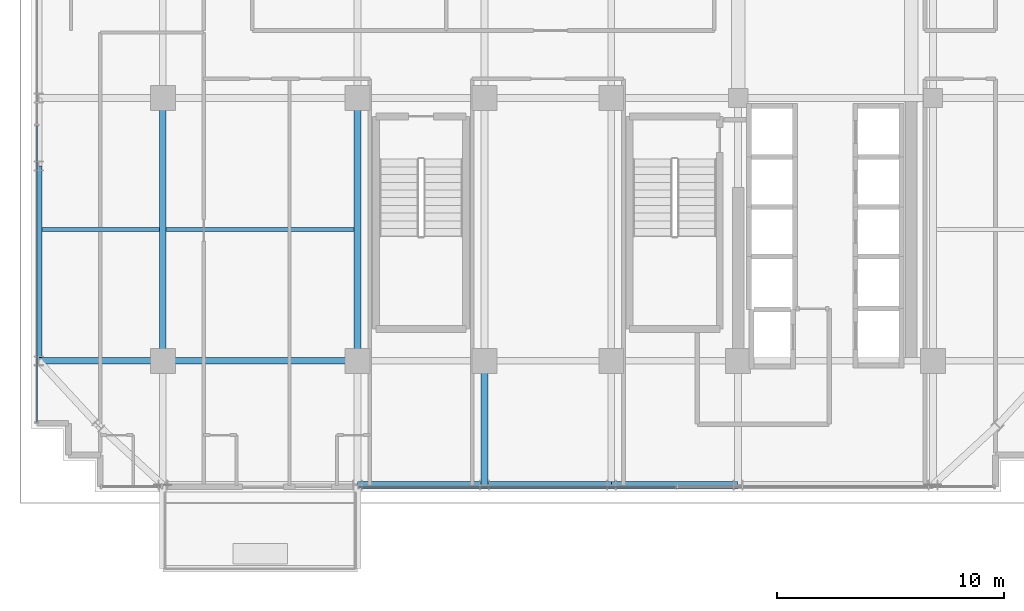
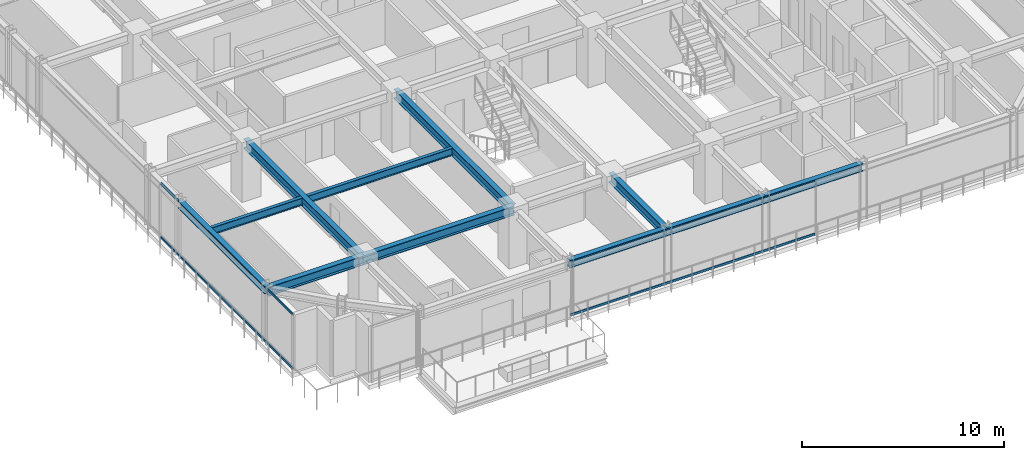
# One storey, part 4 of 33: 11 beams, 4 members, 2 elements without a shape of their own.
"""IFC4 building model written with IfcOpenShell, lengths in metres."""

from ifc_helpers import new_model, si_unit, direction, frame, origin, origin_2d, place, context, subcontext, project, spatial, hollow_rectangle, i_section, extrude, source, transform, mapped, material, material_profile, profile_set, type_object, element, aggregate, save


model = new_model("IFC4")

# Units and contexts
model_context = context("Model", 3, precision=1e-05, world=origin(), true_north=direction((0.0, 1.0)))
body_context = subcontext(model_context, "Body", "Model", "MODEL_VIEW")
ifc_project = project(units=[si_unit("LENGTHUNIT", "METRE"), si_unit("AREAUNIT", "SQUARE_METRE"), si_unit("VOLUMEUNIT", "CUBIC_METRE"), si_unit("PLANEANGLEUNIT", "RADIAN"), si_unit("MASSUNIT", "GRAM", prefix="KILO")], contexts=[model_context])

# Site, building, storey
site_placement = place(None, origin())
site = spatial("IfcSite", under=ifc_project, at=site_placement, CompositionType="ELEMENT")
building_placement = place(site_placement, origin())
building = spatial("IfcBuilding", under=site, at=building_placement, Name="Nahalor Promenade Grand Hotel", CompositionType="ELEMENT")
storey_placement = place(building_placement, frame((0.0, 0.0, 149.0)))
storey = spatial("IfcBuildingStorey", under=building, at=storey_placement, Name="L37", CompositionType="ELEMENT", Elevation=149.0)

# Beams
ifc_material_1 = material(Name="Steel S355JR", Category="steel")
ifc_material_profile_1 = material_profile(ifc_material_1, i_section(OverallWidth=0.3, OverallDepth=0.55, WebThickness=0.015, FlangeThickness=0.029, at=origin_2d()), Name="HEB 550")
ifc_profile_set_1 = profile_set([ifc_material_profile_1], Name="Steel S355JR")
beam_type_1 = type_object("IfcBeamType", Name="Beam-Girder-HEB550", PredefinedType="BEAM", material=ifc_profile_set_1)
shared_shape_1 = source(origin(), body_context, "Body", "SweptSolid", [
    extrude(i_section(OverallWidth=0.3, OverallDepth=0.55, WebThickness=0.015, FlangeThickness=0.029, at=origin_2d()), origin(), (0.0, 0.0, 1.0), 8.60009765625),
])
beam_1_placement = place(storey_placement, frame((-17.0, -17.0, 3.114990234375), z_axis=(1.0, 0.0, 0.0), x_axis=(0.0, 1.0, 0.0)))
element("IfcBeam", 1, at=beam_1_placement, inside=storey, type_object=beam_type_1, Name="BM-L37-GX-0-1", PredefinedType="BEAM", context=body_context, shape_type="MappedRepresentation", body=[
    mapped(shared_shape_1, transform((0.0, 0.0, 0.0), scale=1.0)),
])
shared_shape_2 = source(origin(), body_context, "Body", "SweptSolid", [
    extrude(i_section(OverallWidth=0.3, OverallDepth=0.55, WebThickness=0.015, FlangeThickness=0.029, at=origin_2d()), origin(), (0.0, 0.0, 1.0), 11.60009765625),
])
for number, where, z_axis, x_axis, name in (
    (2, (-17.0, -17.0, 3.114990234375), (0.0, 1.0, 0.0), (-1.0, 0.0, 0.0), "BM-L37-GY-0-1"),
    (3, (-8.39990234375, -17.0, 3.114990234375), (0.0, 1.0, 0.0), (-1.0, 0.0, 0.0), "BM-L37-GY-1-1"),
):
    element("IfcBeam", number, at=place(storey_placement, frame(where, z_axis=z_axis, x_axis=x_axis)), inside=storey, type_object=beam_type_1, Name=name, PredefinedType="BEAM", context=body_context, shape_type="MappedRepresentation", body=[
        mapped(shared_shape_2, transform((0.0, 0.0, 0.0), scale=1.0)),
    ])
ifc_material_profile_2 = material_profile(ifc_material_1, i_section(OverallWidth=0.19, OverallDepth=0.45, WebThickness=0.0094, FlangeThickness=0.0146, at=origin_2d()), Name="IPE 450")
ifc_profile_set_2 = profile_set([ifc_material_profile_2], Name="Steel S355JR")
beam_type_2 = type_object("IfcBeamType", Name="Beam-Joist-IPE450", PredefinedType="JOIST", material=ifc_profile_set_2)
shared_shape_3 = source(origin(), body_context, "Body", "SweptSolid", [
    extrude(i_section(OverallWidth=0.19, OverallDepth=0.45, WebThickness=0.0094, FlangeThickness=0.0146, at=origin_2d()), origin(), (0.0, 0.0, 1.0), 8.300048828125),
])
beam_2_placement = place(storey_placement, frame((-16.85009765625, -11.199951171875, 3.1650390625), z_axis=(1.0, 0.0, 0.0), x_axis=(0.0, 1.0, 0.0)))
element("IfcBeam", 4, at=beam_2_placement, inside=storey, type_object=beam_type_2, Name="BM-L37-JSW-0-1", PredefinedType="JOIST", context=body_context, shape_type="MappedRepresentation", body=[
    mapped(shared_shape_3, transform((0.0, 0.0, 0.0), scale=1.0)),
])
shared_shape_4 = source(origin(), body_context, "Body", "SweptSolid", [
    extrude(i_section(OverallWidth=0.3, OverallDepth=0.55, WebThickness=0.015, FlangeThickness=0.029, at=origin_2d()), origin(), (0.0, 0.0, 1.0), 5.47998046875),
])
for number, where, z_axis, x_axis, name in (
    (5, (-22.47998046875, -17.0, 3.114990234375), (1.0, 0.0, 0.0), (0.0, 1.0, 0.0), "BM-L37-GX-0-0"),
    (6, (-2.800048828125, -22.47998046875, 3.114990234375), (0.0, 1.0, 0.0), (-1.0, 0.0, 0.0), "BM-L37-GY-2-0"),
):
    element("IfcBeam", number, at=place(storey_placement, frame(where, z_axis=z_axis, x_axis=x_axis)), inside=storey, type_object=beam_type_1, Name=name, PredefinedType="BEAM", context=body_context, shape_type="MappedRepresentation", body=[
        mapped(shared_shape_4, transform((0.0, 0.0, 0.0), scale=1.0)),
    ])
shared_shape_5 = source(origin(), body_context, "Body", "SweptSolid", [
    extrude(i_section(OverallWidth=0.19, OverallDepth=0.45, WebThickness=0.0094, FlangeThickness=0.0146, at=origin_2d()), origin(), (0.0, 0.0, 1.0), 5.18017578125),
])
beam_3_placement = place(storey_placement, frame((-22.330078125, -11.199951171875, 3.1650390625), z_axis=(1.0, 0.0, 0.0), x_axis=(0.0, 1.0, 0.0)))
element("IfcBeam", 7, at=beam_3_placement, inside=storey, type_object=beam_type_2, Name="BM-L37-JSW-0-0", PredefinedType="JOIST", context=body_context, shape_type="MappedRepresentation", body=[
    mapped(shared_shape_5, transform((0.0, 0.0, 0.0), scale=1.0)),
])
ifc_material_profile_3 = material_profile(ifc_material_1, i_section(OverallWidth=0.3, OverallDepth=0.45, WebThickness=0.014, FlangeThickness=0.026, at=origin_2d()), Name="HEB 450")
ifc_profile_set_3 = profile_set([ifc_material_profile_3], Name="Steel S355JR")
beam_type_3 = type_object("IfcBeamType", Name="Beam-Spandrel-HEB450", PredefinedType="SPANDREL", material=ifc_profile_set_3)
shared_shape_6 = source(origin(), body_context, "Body", "SweptSolid", [
    extrude(i_section(OverallWidth=0.3, OverallDepth=0.45, WebThickness=0.014, FlangeThickness=0.026, at=origin_2d()), origin(), (0.0, 0.0, 1.0), 8.60009765625),
])
beam_4_placement = place(storey_placement, frame((-22.47998046875, -17.0, 3.1650390625), z_axis=(0.0, 1.0, 0.0), x_axis=(-1.0, 0.0, 0.0)))
element("IfcBeam", 8, at=beam_4_placement, inside=storey, type_object=beam_type_3, Name="BM-L37-SP-W-0", PredefinedType="SPANDREL", context=body_context, shape_type="MappedRepresentation", body=[
    mapped(shared_shape_6, transform((0.0, 0.0, 0.0), scale=1.0)),
])
shared_shape_7 = source(origin(), body_context, "Body", "SweptSolid", [
    extrude(i_section(OverallWidth=0.3, OverallDepth=0.45, WebThickness=0.014, FlangeThickness=0.026, at=origin_2d()), origin(), (0.0, 0.0, 1.0), 5.599853515625),
])
for number, where, z_axis, x_axis, name in (
    (9, (-8.39990234375, -22.47998046875, 3.1650390625), (1.0, 0.0, 0.0), (0.0, 1.0, 0.0), "BM-L37-SP-S-1"),
    (10, (2.800048828125, -22.47998046875, 3.1650390625), (1.0, 0.0, 0.0), (0.0, 1.0, 0.0), "BM-L37-SP-S-3"),
):
    element("IfcBeam", number, at=place(storey_placement, frame(where, z_axis=z_axis, x_axis=x_axis)), inside=storey, type_object=beam_type_3, Name=name, PredefinedType="SPANDREL", context=body_context, shape_type="MappedRepresentation", body=[
        mapped(shared_shape_7, transform((0.0, 0.0, 0.0), scale=1.0)),
    ])
shared_shape_8 = source(origin(), body_context, "Body", "SweptSolid", [
    extrude(i_section(OverallWidth=0.3, OverallDepth=0.45, WebThickness=0.014, FlangeThickness=0.026, at=origin_2d()), origin(), (0.0, 0.0, 1.0), 5.60009765625),
])
beam_5_placement = place(storey_placement, frame((-2.800048828125, -22.47998046875, 3.1650390625), z_axis=(1.0, 0.0, 0.0), x_axis=(0.0, 1.0, 0.0)))
element("IfcBeam", 11, at=beam_5_placement, inside=storey, type_object=beam_type_3, Name="BM-L37-SP-S-2", PredefinedType="SPANDREL", context=body_context, shape_type="MappedRepresentation", body=[
    mapped(shared_shape_8, transform((0.0, 0.0, 0.0), scale=1.0)),
])

# Curtain wall, members
ifc_material_2 = material(Name="Anodised Bronze Aluminium EN AW-6063 T6", Category="aluminium")
curtain_wall_type = type_object("IfcCurtainWallType", Name="CW2 Typical Hotel Flush Bronze Unitised Curtain Wall", PredefinedType="USERDEFINED", material=ifc_material_2)
curtain_wall_1_placement = place(storey_placement, origin())
curtain_wall_1 = element("IfcCurtainWall", 12, at=curtain_wall_1_placement, inside=storey, type_object=curtain_wall_type, Name="L37 Curtain Wall CW-L37-S-3", ObjectType="UNITISED_CURTAIN_WALL", PredefinedType="USERDEFINED")
ifc_material_profile_4 = material_profile(ifc_material_2, hollow_rectangle(XDim=0.065, YDim=0.13, WallThickness=0.004, at=origin_2d()), Name="CWT 65x130x4")
ifc_profile_set_4 = profile_set([ifc_material_profile_4], Name="Anodised Bronze Aluminium EN AW-6063 T6")
member_type = type_object("IfcMemberType", Name="CWT2 Typical Bronze Transom 65x130", PredefinedType="USERDEFINED", material=ifc_profile_set_4)
shared_shape_9 = source(origin(), body_context, "Body", "SweptSolid", [
    extrude(hollow_rectangle(XDim=0.065, YDim=0.13, WallThickness=0.004, at=origin_2d()), origin(), (0.0, 0.0, 1.0), 13.982421875),
])
member_1_placement = place(storey_placement, frame((-8.3349609375, -22.56005859375, 0.06494140625), z_axis=(1.0, 0.0, 0.0), x_axis=(0.0, 1.0, 0.0)))
member_1 = element("IfcMember", 13, at=member_1_placement, type_object=member_type, Name="CW-L37-S-3 Transom 0-0", ObjectType="TRANSOM", PredefinedType="USERDEFINED", context=body_context, shape_type="MappedRepresentation", body=[
    mapped(shared_shape_9, transform((0.0, 0.0, 0.0), scale=1.0)),
])
member_2_placement = place(storey_placement, frame((-8.3349609375, -22.56005859375, 3.324951171875), z_axis=(1.0, 0.0, 0.0), x_axis=(0.0, 1.0, 0.0)))
member_2 = element("IfcMember", 14, at=member_2_placement, type_object=member_type, Name="CW-L37-S-3 Transom 0-1", ObjectType="TRANSOM", PredefinedType="USERDEFINED", context=body_context, shape_type="MappedRepresentation", body=[
    mapped(shared_shape_9, transform((0.0, 0.0, 0.0), scale=1.0)),
])
aggregate(curtain_wall_1, [member_1, member_2])

curtain_wall_2_placement = place(storey_placement, origin())
curtain_wall_2 = element("IfcCurtainWall", 15, at=curtain_wall_2_placement, inside=storey, type_object=curtain_wall_type, Name="L37 Curtain Wall CW-L37-W-1", ObjectType="UNITISED_CURTAIN_WALL", PredefinedType="USERDEFINED")
shared_shape_10 = source(origin(), body_context, "Body", "SweptSolid", [
    extrude(hollow_rectangle(XDim=0.065, YDim=0.13, WallThickness=0.004, at=origin_2d()), origin(), (0.0, 0.0, 1.0), 13.075927734375),
])
member_3_placement = place(storey_placement, frame((-22.56005859375, -19.695068359375, 0.06494140625), z_axis=(0.0, 1.0, 0.0), x_axis=(-1.0, 0.0, 0.0)))
member_3 = element("IfcMember", 16, at=member_3_placement, type_object=member_type, Name="CW-L37-W-1 Transom 0-0", ObjectType="TRANSOM", PredefinedType="USERDEFINED", context=body_context, shape_type="MappedRepresentation", body=[
    mapped(shared_shape_10, transform((0.0, 0.0, 0.0), scale=1.0)),
])
member_4_placement = place(storey_placement, frame((-22.56005859375, -19.695068359375, 3.324951171875), z_axis=(0.0, 1.0, 0.0), x_axis=(-1.0, 0.0, 0.0)))
member_4 = element("IfcMember", 17, at=member_4_placement, type_object=member_type, Name="CW-L37-W-1 Transom 0-1", ObjectType="TRANSOM", PredefinedType="USERDEFINED", context=body_context, shape_type="MappedRepresentation", body=[
    mapped(shared_shape_10, transform((0.0, 0.0, 0.0), scale=1.0)),
])
aggregate(curtain_wall_2, [member_3, member_4])

save(model, "model.ifc")
